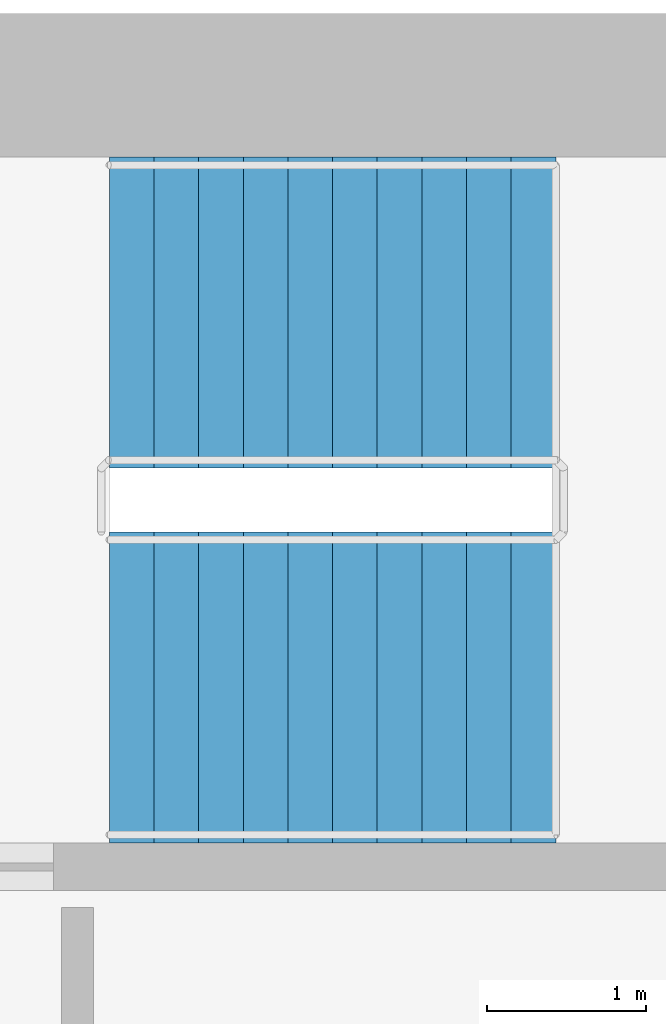
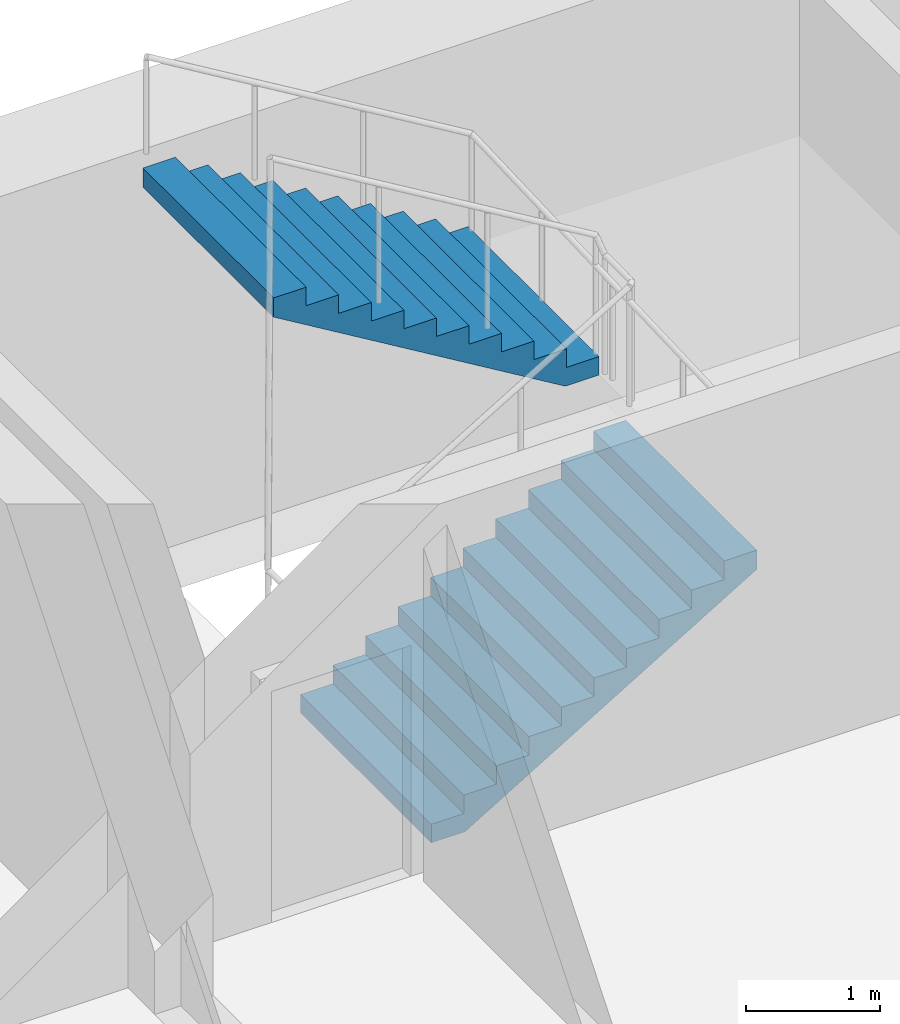
# One storey, part 13 of 17: 2 stair flights, 1 element without a shape of its own.
"""IFC4 building model written with IfcOpenShell, lengths in metres."""

import ifcopenshell
import ifcopenshell.guid

model = None  # the IFC model being written
_history = None  # IfcOwnerHistory: only IFC2X3 demands one
_inside = {}  # id of a spatial element -> (the spatial element, [elements in it])
_under = {}  # id of a project, library or spatial element -> (it, [spatial elements below it])
_declared = {}  # id of a project -> (the project, [libraries it declares])
_typed = {}  # id of a type object -> (the type object, [elements of that type])
_made_of = {}  # id of a material, layer set ... -> (it, [elements and type objects made of it])


def new_model(schema):
    """Start an empty IFC model of exactly this schema.

    Asked for "IFC4X3", IfcOpenShell would pick the latest addendum, in which some entities
    have other attributes; the version numbers below select the first issue.
    IFC2X3 requires an IfcOwnerHistory on every rooted entity: one is made here for all.
    """
    global model, _history
    if schema == "IFC4X3":
        model = ifcopenshell.file(schema_version=(4, 3, 0, 0))
    else:
        model = ifcopenshell.file(schema=schema)
    _inside.clear()
    _under.clear()
    _declared.clear()
    _typed.clear()
    _made_of.clear()
    _history = None
    if model.schema == "IFC2X3":
        org = make("IfcOrganization", Name="unknown")
        user = make(
            "IfcPersonAndOrganization",
            ThePerson=make("IfcPerson", FamilyName="unknown"),
            TheOrganization=org,
        )
        app = make(
            "IfcApplication",
            ApplicationDeveloper=org,
            Version="unknown",
            ApplicationFullName="unknown",
            ApplicationIdentifier="unknown",
        )
        _history = make(
            "IfcOwnerHistory",
            OwningUser=user,
            OwningApplication=app,
            ChangeAction="ADDED",
            CreationDate=0,
        )
    return model


def make(cls, **values):
    """One entity of the class cls with the attributes given. An attribute that is None is left unset."""
    return model.create_entity(
        cls, **{name: value for name, value in values.items() if value is not None}
    )


def rooted(cls, **values):
    """An entity with a GlobalId (a new one), such as an element, a storey or a relation."""
    return make(cls, GlobalId=ifcopenshell.guid.new(), OwnerHistory=_history, **values)


def si_unit(unit_type, name, prefix=None):
    """IfcSIUnit, for example si_unit("LENGTHUNIT", "METRE", prefix="MILLI")."""
    return make("IfcSIUnit", UnitType=unit_type, Prefix=prefix, Name=name)


def assignment(units):
    """IfcUnitAssignment: the units of a project."""
    return None if units is None else make("IfcUnitAssignment", Units=units)


def point(xyz):
    """IfcCartesianPoint."""
    return None if xyz is None else make("IfcCartesianPoint", Coordinates=xyz)


def direction(xyz):
    """IfcDirection."""
    return None if xyz is None else make("IfcDirection", DirectionRatios=xyz)


def frame(location, z_axis=None, x_axis=None):
    """IfcAxis2Placement3D, a coordinate frame: its origin and axes. An axis left out is left unset."""
    return make(
        "IfcAxis2Placement3D",
        Location=point(location),
        Axis=direction(z_axis),
        RefDirection=direction(x_axis),
    )


def origin():
    """The frame at (0, 0, 0) with its axes left unset."""
    return frame((0.0, 0.0, 0.0))


def place(relative_to, where):
    """IfcLocalPlacement: puts the frame where relative to a parent placement (None: the world)."""
    return make(
        "IfcLocalPlacement", PlacementRelTo=relative_to, RelativePlacement=where
    )


def context(
    kind, dimensions, precision=None, world=None, true_north=None, identifier=None
):
    """IfcGeometricRepresentationContext, for example the 3D "Model" context."""
    return make(
        "IfcGeometricRepresentationContext",
        ContextIdentifier=identifier,
        ContextType=kind,
        CoordinateSpaceDimension=dimensions,
        Precision=precision,
        WorldCoordinateSystem=world,
        TrueNorth=true_north,
    )


def subcontext(parent, identifier, kind, view, scale=None):
    """IfcGeometricRepresentationSubContext, for example "Body" below "Model"."""
    return make(
        "IfcGeometricRepresentationSubContext",
        ContextIdentifier=identifier,
        ContextType=kind,
        ParentContext=parent,
        TargetScale=scale,
        TargetView=view,
    )


def project(units=None, contexts=None):
    """IfcProject with its units and contexts."""
    return rooted(
        "IfcProject",
        Name="project",
        RepresentationContexts=contexts,
        UnitsInContext=assignment(units),
    )


def spatial(cls, under=None, at=None, **own):
    """A site, building, storey or space (cls), placed at a placement, below another one or the project."""
    s = rooted(cls, ObjectPlacement=at, **own)
    if under is not None:
        _under.setdefault(under.id(), (under, []))[1].append(s)
    return s


def polyline(points):
    """IfcPolyline through the points."""
    return make("IfcPolyline", Points=[point(p) for p in points])


def outline(outer, holes=None, kind="AREA"):
    """IfcArbitraryClosedProfileDef: a profile drawn as a closed curve; with holes, ...WithVoids."""
    if holes is None:
        return make("IfcArbitraryClosedProfileDef", ProfileType=kind, OuterCurve=outer)
    return make(
        "IfcArbitraryProfileDefWithVoids",
        ProfileType=kind,
        OuterCurve=outer,
        InnerCurves=holes,
    )


def extrude(swept, where, along, depth):
    """IfcExtrudedAreaSolid: the profile swept, set in the frame where, extruded along a direction by depth."""
    return make(
        "IfcExtrudedAreaSolid",
        SweptArea=swept,
        Position=where,
        ExtrudedDirection=direction(along),
        Depth=depth,
    )


def shape(context_of_items, identifier, shape_type, items):
    """IfcShapeRepresentation: the items that make up one representation, for example the "Body"."""
    return make(
        "IfcShapeRepresentation",
        ContextOfItems=context_of_items,
        RepresentationIdentifier=identifier,
        RepresentationType=shape_type,
        Items=items,
    )


def material(Name=None, Category=None):
    """IfcMaterial."""
    return make("IfcMaterial", Name=Name, Category=Category)


def made_of(thing, what):
    """Note that an element or type object is made of a material, layer set ...; save() writes the relation."""
    if what is not None:
        _made_of.setdefault(what.id(), (what, []))[1].append(thing)
    return thing


def type_object(cls, material=None, **own):
    """A type object (cls), such as IfcWallType, which elements share."""
    return made_of(rooted(cls, **own), material)


def element(
    cls,
    number,
    at=None,
    inside=None,
    cuts=None,
    type_object=None,
    material=None,
    context=None,
    identifier="Body",
    shape_type=None,
    held_by="IfcProductDefinitionShape",
    body=None,
    shapes=None,
    **own,
):
    """One element of the class cls, such as IfcWall. Its Tag is "e" and its number.

    at: its placement. inside: the storey or other place that contains it. cuts: it is an
    opening in that element (IfcRelVoidsElement). A single representation is given by context,
    identifier, shape_type and body (its items); several are given by shapes. held_by: the class
    of the entity that holds the representations. save() writes the other relations.
    """
    e = rooted(cls, Tag="e%d" % number, ObjectPlacement=at, **own)
    if body is not None:
        shapes = [shape(context, identifier, shape_type, body)]
    if shapes is not None:
        e.Representation = make(held_by, Representations=shapes)
    if inside is not None:
        _inside.setdefault(inside.id(), (inside, []))[1].append(e)
    if cuts is not None:
        rooted(
            "IfcRelVoidsElement", RelatingBuildingElement=cuts, RelatedOpeningElement=e
        )
    if type_object is not None:
        _typed.setdefault(type_object.id(), (type_object, []))[1].append(e)
    return made_of(e, material)


def aggregate(whole, parts):
    """IfcRelAggregates: a whole, such as a stair, and the parts it consists of."""
    return rooted("IfcRelAggregates", RelatingObject=whole, RelatedObjects=parts)


def save(model, path):
    """Write the relations noted so far, then the file.

    IfcRelAggregates (storeys below a building ...), IfcRelContainedInSpatialStructure (elements
    in a storey), IfcRelDefinesByType, IfcRelAssociatesMaterial and IfcRelDeclares: one each for
    every whole, place, type object, material and project.
    """
    for whole, parts in _under.values():
        aggregate(whole, parts)
    for where, things in _inside.values():
        rooted(
            "IfcRelContainedInSpatialStructure",
            RelatedElements=things,
            RelatingStructure=where,
        )
    for kind, things in _typed.values():
        rooted("IfcRelDefinesByType", RelatedObjects=things, RelatingType=kind)
    for what, things in _made_of.values():
        rooted("IfcRelAssociatesMaterial", RelatedObjects=things, RelatingMaterial=what)
    for by, libraries in _declared.values():
        rooted("IfcRelDeclares", RelatingContext=by, RelatedDefinitions=libraries)
    model.write(path)


model = new_model("IFC4")

# Units and contexts
model_context = context("Model", 3, precision=1e-05, world=origin(), true_north=direction((0.0, 1.0)))
body_context = subcontext(model_context, "Body", "Model", "MODEL_VIEW")
ifc_project = project(units=[si_unit("LENGTHUNIT", "METRE"), si_unit("AREAUNIT", "SQUARE_METRE"), si_unit("VOLUMEUNIT", "CUBIC_METRE"), si_unit("PLANEANGLEUNIT", "RADIAN"), si_unit("MASSUNIT", "GRAM", prefix="KILO")], contexts=[model_context])

# Site, building, storey
site_placement = place(None, origin())
site = spatial("IfcSite", under=ifc_project, at=site_placement, CompositionType="ELEMENT")
building_placement = place(site_placement, origin())
building = spatial("IfcBuilding", under=site, at=building_placement, Name="Hunhe Ridgeline Campus", CompositionType="ELEMENT")
storey_placement = place(building_placement, frame((0.0, 0.0, 197.60009765625)))
storey = spatial("IfcBuildingStorey", under=building, at=storey_placement, Name="L50", CompositionType="ELEMENT", Elevation=197.60009765625)

# Stair, stair flights
ifc_material = material(Name="Concrete C40", Category="concrete")
stair_type = type_object("IfcStairType", Name="Reinforced concrete dog-leg stair 1950 Concrete C40", PredefinedType="HALF_TURN_STAIR", material=ifc_material)
stair_placement = place(storey_placement, origin())
stair = element("IfcStair", 1, at=stair_placement, inside=storey, type_object=stair_type, Name="L50 E1", PredefinedType="HALF_TURN_STAIR")
stair_flight_type = type_object("IfcStairFlightType", Name="Reinforced concrete stair flight 1950 Concrete C40", PredefinedType="STRAIGHT", material=ifc_material)
stair_flight_1_placement = place(storey_placement, frame((38.39990234375, 94.77490234375, 0.0), z_axis=(0.0, 0.0, 1.0), x_axis=(1.0, 0.0, 0.0)))
stair_flight_1 = element("IfcStairFlight", 2, at=stair_flight_1_placement, type_object=stair_flight_type, Name="ST5 flight 1", NumberOfRisers=11, NumberOfTreads=10, PredefinedType="STRAIGHT", RiserHeight=0.168181818, TreadLength=0.28, context=body_context, shape_type="SweptSolid", body=[
    extrude(outline(polyline([(0.0, 0.0), (0.0, 0.168212890625), (0.280029296875, 0.168212890625), (0.280029296875, 0.33642578125), (0.56005859375, 0.33642578125), (0.56005859375, 0.504638671875), (0.840087890625, 0.504638671875), (0.840087890625, 0.672607421875), (1.1201171875, 0.672607421875), (1.1201171875, 0.8408203125), (1.39990234375, 0.8408203125), (1.39990234375, 1.009033203125), (1.679931640625, 1.009033203125), (1.679931640625, 1.17724609375), (1.9599609375, 1.17724609375), (1.9599609375, 1.345458984375), (2.239990234375, 1.345458984375), (2.239990234375, 1.513671875), (2.52001953125, 1.513671875), (2.52001953125, 1.681884765625), (2.800048828125, 1.681884765625), (2.800048828125, 1.85009765625), (2.800048828125, 1.5068359375), (0.291015625, 0.0), (0.0, 0.0)])), frame((0.0, 0.97509765625, 0.0), z_axis=(0.0, -1.0, 0.0), x_axis=(1.0, 0.0, 0.0)), (0.0, 0.0, 1.0), 1.949951171875),
    extrude(outline(polyline([(0.030029296875, 0.030029296875), (0.030029296875, 0.13818359375), (0.31005859375, 0.13818359375), (0.31005859375, 0.306396484375), (0.590087890625, 0.306396484375), (0.590087890625, 0.474609375), (0.8701171875, 0.474609375), (0.8701171875, 0.642578125), (1.14990234375, 0.642578125), (1.14990234375, 0.810791015625), (1.429931640625, 0.810791015625), (1.429931640625, 0.97900390625), (1.7099609375, 0.97900390625), (1.7099609375, 1.147216796875), (1.989990234375, 1.147216796875), (1.989990234375, 1.3154296875), (2.27001953125, 1.3154296875), (2.27001953125, 1.483642578125), (2.550048828125, 1.483642578125), (2.550048828125, 1.65185546875), (2.77001953125, 1.65185546875), (2.77001953125, 1.52392578125), (0.28271484375, 0.030029296875), (0.030029296875, 0.030029296875)])), frame((0.0, -0.070068359375, 0.0), z_axis=(0.0, -1.0, 0.0), x_axis=(1.0, 0.0, 0.0)), (0.0, 0.0, 1.0), 0.019775390625),
    extrude(outline(polyline([(0.030029296875, 0.030029296875), (0.030029296875, 0.13818359375), (0.31005859375, 0.13818359375), (0.31005859375, 0.306396484375), (0.590087890625, 0.306396484375), (0.590087890625, 0.474609375), (0.8701171875, 0.474609375), (0.8701171875, 0.642578125), (1.14990234375, 0.642578125), (1.14990234375, 0.810791015625), (1.429931640625, 0.810791015625), (1.429931640625, 0.97900390625), (1.7099609375, 0.97900390625), (1.7099609375, 1.147216796875), (1.989990234375, 1.147216796875), (1.989990234375, 1.3154296875), (2.27001953125, 1.3154296875), (2.27001953125, 1.483642578125), (2.550048828125, 1.483642578125), (2.550048828125, 1.65185546875), (2.77001953125, 1.65185546875), (2.77001953125, 1.52392578125), (0.28271484375, 0.030029296875), (0.030029296875, 0.030029296875)])), frame((0.0, 0.010009765625, 0.0), z_axis=(0.0, -1.0, 0.0), x_axis=(1.0, 0.0, 0.0)), (0.0, 0.0, 1.0), 0.019775390625),
    extrude(outline(polyline([(0.030029296875, 0.030029296875), (0.030029296875, 0.13818359375), (0.31005859375, 0.13818359375), (0.31005859375, 0.306396484375), (0.590087890625, 0.306396484375), (0.590087890625, 0.474609375), (0.8701171875, 0.474609375), (0.8701171875, 0.642578125), (1.14990234375, 0.642578125), (1.14990234375, 0.810791015625), (1.429931640625, 0.810791015625), (1.429931640625, 0.97900390625), (1.7099609375, 0.97900390625), (1.7099609375, 1.147216796875), (1.989990234375, 1.147216796875), (1.989990234375, 1.3154296875), (2.27001953125, 1.3154296875), (2.27001953125, 1.483642578125), (2.550048828125, 1.483642578125), (2.550048828125, 1.65185546875), (2.77001953125, 1.65185546875), (2.77001953125, 1.52392578125), (0.28271484375, 0.030029296875), (0.030029296875, 0.030029296875)])), frame((0.0, 0.090087890625, 0.0), z_axis=(0.0, -1.0, 0.0), x_axis=(1.0, 0.0, 0.0)), (0.0, 0.0, 1.0), 0.019775390625),
])
stair_flight_2_placement = place(storey_placement, frame((41.199951171875, 97.125, 1.849853515625), z_axis=(0.0, 0.0, 1.0), x_axis=(-1.0, 0.0, 0.0)))
stair_flight_2 = element("IfcStairFlight", 3, at=stair_flight_2_placement, type_object=stair_flight_type, Name="ST5 flight 2", NumberOfRisers=11, NumberOfTreads=10, PredefinedType="STRAIGHT", RiserHeight=0.168181818, TreadLength=0.28, context=body_context, shape_type="SweptSolid", body=[
    extrude(outline(polyline([(0.0, 0.0), (0.0, 0.168212890625), (0.280029296875, 0.168212890625), (0.280029296875, 0.33642578125), (0.56005859375, 0.33642578125), (0.56005859375, 0.504638671875), (0.840087890625, 0.504638671875), (0.840087890625, 0.672607421875), (1.1201171875, 0.672607421875), (1.1201171875, 0.8408203125), (1.39990234375, 0.8408203125), (1.39990234375, 1.009033203125), (1.679931640625, 1.009033203125), (1.679931640625, 1.17724609375), (1.9599609375, 1.17724609375), (1.9599609375, 1.345458984375), (2.239990234375, 1.345458984375), (2.239990234375, 1.513671875), (2.52001953125, 1.513671875), (2.52001953125, 1.681884765625), (2.800048828125, 1.681884765625), (2.800048828125, 1.85009765625), (2.800048828125, 1.5068359375), (0.291015625, 0.0), (0.0, 0.0)])), frame((0.0, 0.97509765625, 0.0), z_axis=(0.0, -1.0, 0.0), x_axis=(1.0, 0.0, 0.0)), (0.0, 0.0, 1.0), 1.949951171875),
    extrude(outline(polyline([(0.030029296875, 0.030029296875), (0.030029296875, 0.13818359375), (0.31005859375, 0.13818359375), (0.31005859375, 0.306396484375), (0.590087890625, 0.306396484375), (0.590087890625, 0.474609375), (0.8701171875, 0.474609375), (0.8701171875, 0.642578125), (1.14990234375, 0.642578125), (1.14990234375, 0.810791015625), (1.429931640625, 0.810791015625), (1.429931640625, 0.97900390625), (1.7099609375, 0.97900390625), (1.7099609375, 1.147216796875), (1.989990234375, 1.147216796875), (1.989990234375, 1.3154296875), (2.27001953125, 1.3154296875), (2.27001953125, 1.483642578125), (2.550048828125, 1.483642578125), (2.550048828125, 1.65185546875), (2.77001953125, 1.65185546875), (2.77001953125, 1.52392578125), (0.28271484375, 0.030029296875), (0.030029296875, 0.030029296875)])), frame((0.0, -0.070068359375, 0.0), z_axis=(0.0, -1.0, 0.0), x_axis=(1.0, 0.0, 0.0)), (0.0, 0.0, 1.0), 0.019775390625),
    extrude(outline(polyline([(0.030029296875, 0.030029296875), (0.030029296875, 0.13818359375), (0.31005859375, 0.13818359375), (0.31005859375, 0.306396484375), (0.590087890625, 0.306396484375), (0.590087890625, 0.474609375), (0.8701171875, 0.474609375), (0.8701171875, 0.642578125), (1.14990234375, 0.642578125), (1.14990234375, 0.810791015625), (1.429931640625, 0.810791015625), (1.429931640625, 0.97900390625), (1.7099609375, 0.97900390625), (1.7099609375, 1.147216796875), (1.989990234375, 1.147216796875), (1.989990234375, 1.3154296875), (2.27001953125, 1.3154296875), (2.27001953125, 1.483642578125), (2.550048828125, 1.483642578125), (2.550048828125, 1.65185546875), (2.77001953125, 1.65185546875), (2.77001953125, 1.52392578125), (0.28271484375, 0.030029296875), (0.030029296875, 0.030029296875)])), frame((0.0, 0.010009765625, 0.0), z_axis=(0.0, -1.0, 0.0), x_axis=(1.0, 0.0, 0.0)), (0.0, 0.0, 1.0), 0.019775390625),
    extrude(outline(polyline([(0.030029296875, 0.030029296875), (0.030029296875, 0.13818359375), (0.31005859375, 0.13818359375), (0.31005859375, 0.306396484375), (0.590087890625, 0.306396484375), (0.590087890625, 0.474609375), (0.8701171875, 0.474609375), (0.8701171875, 0.642578125), (1.14990234375, 0.642578125), (1.14990234375, 0.810791015625), (1.429931640625, 0.810791015625), (1.429931640625, 0.97900390625), (1.7099609375, 0.97900390625), (1.7099609375, 1.147216796875), (1.989990234375, 1.147216796875), (1.989990234375, 1.3154296875), (2.27001953125, 1.3154296875), (2.27001953125, 1.483642578125), (2.550048828125, 1.483642578125), (2.550048828125, 1.65185546875), (2.77001953125, 1.65185546875), (2.77001953125, 1.52392578125), (0.28271484375, 0.030029296875), (0.030029296875, 0.030029296875)])), frame((0.0, 0.090087890625, 0.0), z_axis=(0.0, -1.0, 0.0), x_axis=(1.0, 0.0, 0.0)), (0.0, 0.0, 1.0), 0.019775390625),
])
aggregate(stair, [stair_flight_1, stair_flight_2])

save(model, "model.ifc")
